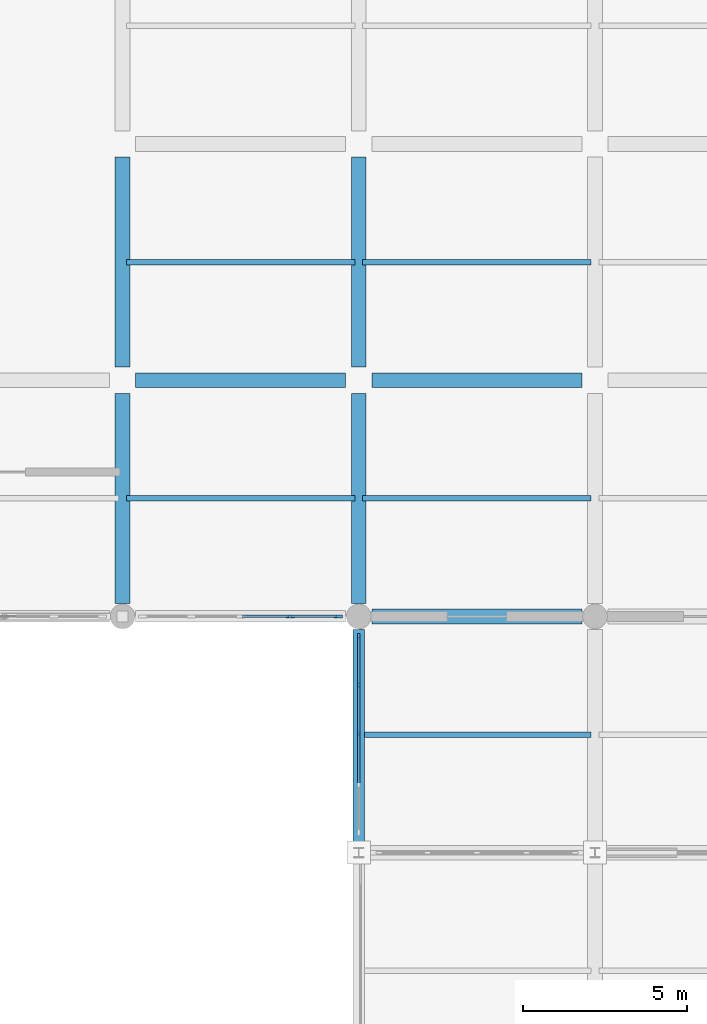
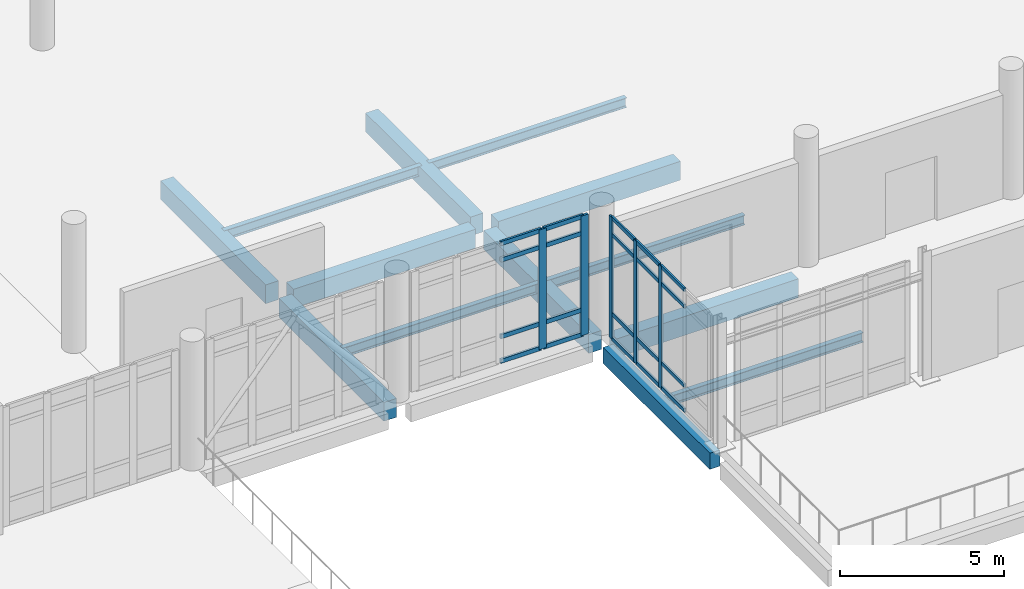
# One storey, part 13 of 59: 25 members, 13 beams, 2 elements without a shape of their own.
"""IFC4 building model written with IfcOpenShell, lengths in metres."""

from ifc_helpers import new_model, si_unit, direction, frame, origin, origin_2d, place, context, subcontext, project, spatial, rectangle, i_section, extrude, material, layer, layer_set, material_profile, profile_set, type_object, element, aggregate, save


model = new_model("IFC4")

# Units and contexts
model_context = context("Model", 3, precision=1e-05, world=origin(), true_north=direction((0.0, 1.0)))
body_context = subcontext(model_context, "Body", "Model", "MODEL_VIEW")
ifc_project = project(units=[si_unit("LENGTHUNIT", "METRE"), si_unit("AREAUNIT", "SQUARE_METRE"), si_unit("VOLUMEUNIT", "CUBIC_METRE"), si_unit("PLANEANGLEUNIT", "RADIAN"), si_unit("MASSUNIT", "GRAM", prefix="KILO")], contexts=[model_context])

# Site, building, storey
site_placement = place(None, origin())
site = spatial("IfcSite", under=ifc_project, at=site_placement, CompositionType="ELEMENT")
building_placement = place(site_placement, origin())
building = spatial("IfcBuilding", under=site, at=building_placement, Name="Valkovuoma Quantum and Materials Research Institute", CompositionType="ELEMENT")
storey_placement = place(building_placement, origin())
storey = spatial("IfcBuildingStorey", under=building, at=storey_placement, Name="L00", CompositionType="ELEMENT", Elevation=0.0)

# Beams
ifc_material_1 = material(Name="Steel S355J2", Category="steel")
ifc_material_profile_1 = material_profile(ifc_material_1, i_section(OverallWidth=0.169921875, OverallDepth=0.360107421875, WebThickness=0.008056640625, FlangeThickness=0.0126953125, FilletRadius=0.01806640625, at=origin_2d()), Name="Steel S355J2")
ifc_profile_set_1 = profile_set([ifc_material_profile_1], Name="Steel S355J2")
beam_type_1 = type_object("IfcBeamType", Name="Beam-B-JST360", PredefinedType="JOIST", material=ifc_profile_set_1)
for number, where, z_axis, x_axis, name in (
    (1, (57.719970703125, 32.39990234375, -0.580078125), (1.0, 0.0, 0.0), (0.0, 1.0, 0.0), "L00 floor joist 0406"),
    (2, (50.52001953125, 39.60009765625, -0.580078125), (1.0, 0.0, 0.0), (0.0, 1.0, 0.0), "L00 floor joist 0423"),
    (3, (57.719970703125, 39.60009765625, -0.580078125), (1.0, 0.0, 0.0), (0.0, 1.0, 0.0), "L00 floor joist 0424"),
    (4, (50.52001953125, 46.800048828125, -0.580078125), (1.0, 0.0, 0.0), (0.0, 1.0, 0.0), "L00 floor joist 0440"),
    (5, (57.719970703125, 46.800048828125, -0.580078125), (1.0, 0.0, 0.0), (0.0, 1.0, 0.0), "L00 floor joist 0441"),
):
    element("IfcBeam", number, at=place(storey_placement, frame(where, z_axis=z_axis, x_axis=x_axis)), inside=storey, type_object=beam_type_1, Name=name, PredefinedType="JOIST", context=body_context, shape_type="SweptSolid", body=[
        extrude(i_section(OverallWidth=0.169921875, OverallDepth=0.360107421875, WebThickness=0.008056640625, FlangeThickness=0.0126953125, FilletRadius=0.01806640625, at=origin_2d()), origin(), (0.0, 0.0, 1.0), 6.9599609375),
    ])
ifc_material_2 = material(Name="Concrete C40/50", Category="concrete")
ifc_material_profile_2 = material_profile(ifc_material_2, rectangle(XDim=0.449951171875, YDim=0.699951171875, at=origin_2d()), Name="Concrete C40/50")
ifc_profile_set_2 = profile_set([ifc_material_profile_2], Name="Concrete C40/50")
beam_type_2 = type_object("IfcBeamType", Name="Beam-B-RC700", PredefinedType="BEAM", material=ifc_profile_set_2)
for number, where, z_axis, x_axis, name in (
    (6, (58.0, 36.0, -0.75), (1.0, 0.0, 0.0), (0.0, 1.0, 0.0), "L00 beam X-0039"),
    (7, (50.800048828125, 43.199951171875, -0.75), (1.0, 0.0, 0.0), (0.0, 1.0, 0.0), "L00 beam X-0061"),
    (8, (58.0, 43.199951171875, -0.75), (1.0, 0.0, 0.0), (0.0, 1.0, 0.0), "L00 beam X-0062"),
):
    element("IfcBeam", number, at=place(storey_placement, frame(where, z_axis=z_axis, x_axis=x_axis)), inside=storey, type_object=beam_type_2, Name=name, PredefinedType="BEAM", context=body_context, shape_type="SweptSolid", body=[
        extrude(rectangle(XDim=0.449951171875, YDim=0.699951171875, at=origin_2d()), origin(), (0.0, 0.0, 1.0), 6.39990234375),
    ])
beam_1_placement = place(storey_placement, frame((50.39990234375, 36.39990234375, -0.75), z_axis=(0.0, 1.0, 0.0), x_axis=(-1.0, 0.0, 0.0)))
element("IfcBeam", 9, at=beam_1_placement, inside=storey, type_object=beam_type_2, Name="L00 beam Y-0252", PredefinedType="BEAM", context=body_context, shape_type="SweptSolid", body=[
    extrude(rectangle(XDim=0.449951171875, YDim=0.699951171875, at=origin_2d()), origin(), (0.0, 0.0, 1.0), 6.400146484375),
])
beam_2_placement = place(storey_placement, frame((50.39990234375, 43.60009765625, -0.75), z_axis=(0.0, 1.0, 0.0), x_axis=(-1.0, 0.0, 0.0)))
element("IfcBeam", 10, at=beam_2_placement, inside=storey, type_object=beam_type_2, Name="L00 beam Y-0253", PredefinedType="BEAM", context=body_context, shape_type="SweptSolid", body=[
    extrude(rectangle(XDim=0.449951171875, YDim=0.699951171875, at=origin_2d()), origin(), (0.0, 0.0, 1.0), 6.39990234375),
])
beam_3_placement = place(storey_placement, frame((57.60009765625, 36.39990234375, -0.75), z_axis=(0.0, 1.0, 0.0), x_axis=(-1.0, 0.0, 0.0)))
element("IfcBeam", 11, at=beam_3_placement, inside=storey, type_object=beam_type_2, Name="L00 beam Y-0264", PredefinedType="BEAM", context=body_context, shape_type="SweptSolid", body=[
    extrude(rectangle(XDim=0.449951171875, YDim=0.699951171875, at=origin_2d()), origin(), (0.0, 0.0, 1.0), 6.400146484375),
])
beam_4_placement = place(storey_placement, frame((57.60009765625, 43.60009765625, -0.75), z_axis=(0.0, 1.0, 0.0), x_axis=(-1.0, 0.0, 0.0)))
element("IfcBeam", 12, at=beam_4_placement, inside=storey, type_object=beam_type_2, Name="L00 beam Y-0265", PredefinedType="BEAM", context=body_context, shape_type="SweptSolid", body=[
    extrude(rectangle(XDim=0.449951171875, YDim=0.699951171875, at=origin_2d()), origin(), (0.0, 0.0, 1.0), 6.39990234375),
])
ifc_material_3 = material(Name="Concrete C40/50", Category="concrete")
ifc_material_profile_3 = material_profile(ifc_material_3, rectangle(XDim=0.35009765625, YDim=0.60009765625, at=origin_2d()), Name="Concrete C40/50")
ifc_profile_set_3 = profile_set([ifc_material_profile_3], Name="Concrete C40/50")
beam_type_3 = type_object("IfcBeamType", Name="Beam-B-SPN600", PredefinedType="SPANDREL", material=ifc_profile_set_3)
beam_5_placement = place(storey_placement, frame((57.60009765625, 29.10009765625, -0.699951171875), z_axis=(0.0, 1.0, 0.0), x_axis=(-1.0, 0.0, 0.0)))
element("IfcBeam", 13, at=beam_5_placement, inside=storey, type_object=beam_type_3, Name="L00 beam Y-0263", PredefinedType="SPANDREL", context=body_context, shape_type="SweptSolid", body=[
    extrude(rectangle(XDim=0.35009765625, YDim=0.60009765625, at=origin_2d()), origin(), (0.0, 0.0, 1.0), 6.5),
])

# Curtain wall, members
ifc_material_4 = material(Name="Thermally broken aluminium and triple low-E glazing", Category="aluminium")
ifc_layer_1 = layer(ifc_material_4, 0.219970703125)
ifc_layer_set_1 = layer_set([ifc_layer_1], Name="Thermally broken aluminium and triple low-E glazing")
curtain_wall_type_1 = type_object("IfcCurtainWallType", Name="CW-CW-04", PredefinedType="NOTDEFINED", material=ifc_layer_set_1)
curtain_wall_1_placement = place(storey_placement, origin())
curtain_wall_1 = element("IfcCurtainWall", 14, at=curtain_wall_1_placement, inside=storey, type_object=curtain_wall_type_1, Name="L00 curtain wall 145", PredefinedType="NOTDEFINED")
ifc_material_5 = material(Name="Anodised aluminium 6060-T66", Category="aluminium")
ifc_material_profile_4 = material_profile(ifc_material_5, rectangle(XDim=0.06494140625, YDim=0.179931640625, at=origin_2d()), Name="Anodised aluminium 6060-T66")
ifc_profile_set_4 = profile_set([ifc_material_profile_4], Name="Anodised aluminium 6060-T66")
member_type_1 = type_object("IfcMemberType", Name="CWMull-CWM-01", PredefinedType="MULLION", material=ifc_profile_set_4)
member_1_placement = place(storey_placement, frame((57.60009765625, 32.39990234375, 0.0), z_axis=(0.0, 0.0, 1.0), x_axis=(-1.0, 0.0, 0.0)))
member_1 = element("IfcMember", 15, at=member_1_placement, type_object=member_type_1, Name="CW-04 mullion 3", PredefinedType="MULLION", context=body_context, shape_type="SweptSolid", body=[
    extrude(rectangle(XDim=0.06494140625, YDim=0.179931640625, at=origin_2d()), origin(), (0.0, 0.0, 1.0), 4.550048828125),
])
member_2_placement = place(storey_placement, frame((57.60009765625, 33.909912109375, 0.0), z_axis=(0.0, 0.0, 1.0), x_axis=(-1.0, 0.0, 0.0)))
member_2 = element("IfcMember", 16, at=member_2_placement, type_object=member_type_1, Name="CW-04 mullion 4", PredefinedType="MULLION", context=body_context, shape_type="SweptSolid", body=[
    extrude(rectangle(XDim=0.06494140625, YDim=0.179931640625, at=origin_2d()), origin(), (0.0, 0.0, 1.0), 4.550048828125),
])
member_3_placement = place(storey_placement, frame((57.60009765625, 35.387451171875, 0.0), z_axis=(0.0, 0.0, 1.0), x_axis=(-1.0, 0.0, 0.0)))
member_3 = element("IfcMember", 17, at=member_3_placement, type_object=member_type_1, Name="CW-04 mullion 5", PredefinedType="MULLION", context=body_context, shape_type="SweptSolid", body=[
    extrude(rectangle(XDim=0.06494140625, YDim=0.179931640625, at=origin_2d()), origin(), (0.0, 0.0, 1.0), 4.550048828125),
])

ifc_material_6 = material(Name="Thermally broken aluminium and triple low-E glazing", Category="aluminium")
ifc_layer_2 = layer(ifc_material_6, 0.219970703125)
ifc_layer_set_2 = layer_set([ifc_layer_2], Name="Thermally broken aluminium and triple low-E glazing")
curtain_wall_type_2 = type_object("IfcCurtainWallType", Name="CW-CW-02", PredefinedType="NOTDEFINED", material=ifc_layer_set_2)
curtain_wall_2_placement = place(storey_placement, origin())
curtain_wall_2 = element("IfcCurtainWall", 18, at=curtain_wall_2_placement, inside=storey, type_object=curtain_wall_type_2, Name="L00 curtain wall 151", PredefinedType="NOTDEFINED")
ifc_material_7 = material(Name="Anodised aluminium 6060-T66", Category="aluminium")
ifc_material_profile_5 = material_profile(ifc_material_7, rectangle(XDim=0.080078125, YDim=0.260009765625, at=origin_2d()), Name="Anodised aluminium 6060-T66")
ifc_profile_set_5 = profile_set([ifc_material_profile_5], Name="Anodised aluminium 6060-T66")
member_type_2 = type_object("IfcMemberType", Name="CWMull-CWM-03", PredefinedType="MULLION", material=ifc_profile_set_5)
member_4_placement = place(storey_placement, frame((55.510009765625, 36.0, 0.0), z_axis=(0.0, 0.0, 1.0), x_axis=(0.0, 1.0, 0.0)))
member_4 = element("IfcMember", 19, at=member_4_placement, type_object=member_type_2, Name="CW-02 mullion 4", PredefinedType="MULLION", context=body_context, shape_type="SweptSolid", body=[
    extrude(rectangle(XDim=0.080078125, YDim=0.260009765625, at=origin_2d()), origin(), (0.0, 0.0, 1.0), 4.449951171875),
])
member_5_placement = place(storey_placement, frame((56.97998046875, 36.0, 0.0), z_axis=(0.0, 0.0, 1.0), x_axis=(0.0, 1.0, 0.0)))
member_5 = element("IfcMember", 20, at=member_5_placement, type_object=member_type_2, Name="CW-02 mullion 5", PredefinedType="MULLION", context=body_context, shape_type="SweptSolid", body=[
    extrude(rectangle(XDim=0.080078125, YDim=0.260009765625, at=origin_2d()), origin(), (0.0, 0.0, 1.0), 4.449951171875),
])

# Member
ifc_material_8 = material(Name="Anodised aluminium 6060-T66", Category="aluminium")
ifc_material_profile_6 = material_profile(ifc_material_8, rectangle(XDim=0.06494140625, YDim=0.139892578125, at=origin_2d()), Name="Anodised aluminium 6060-T66")
ifc_profile_set_6 = profile_set([ifc_material_profile_6], Name="Anodised aluminium 6060-T66")
member_type_3 = type_object("IfcMemberType", Name="CWTran-CWT-01", PredefinedType="USERDEFINED", material=ifc_profile_set_6)
member_6_placement = place(storey_placement, frame((57.60009765625, 30.922607421875, 0.032470703125), z_axis=(0.0, 1.0, 0.0), x_axis=(-1.0, 0.0, 0.0)))
member_6 = element("IfcMember", 21, at=member_6_placement, type_object=member_type_3, Name="CW-04 transom 2.1", ObjectType="TRANSOM", PredefinedType="USERDEFINED", context=body_context, shape_type="SweptSolid", body=[
    extrude(rectangle(XDim=0.06494140625, YDim=0.139892578125, at=origin_2d()), origin(), (0.0, 0.0, 1.0), 1.44482421875),
])

member_7_placement = place(storey_placement, frame((57.60009765625, 30.922607421875, 0.949951171875), z_axis=(0.0, 1.0, 0.0), x_axis=(-1.0, 0.0, 0.0)))
member_7 = element("IfcMember", 22, at=member_7_placement, type_object=member_type_3, Name="CW-04 transom 2.2", ObjectType="TRANSOM", PredefinedType="USERDEFINED", context=body_context, shape_type="SweptSolid", body=[
    extrude(rectangle(XDim=0.06494140625, YDim=0.139892578125, at=origin_2d()), origin(), (0.0, 0.0, 1.0), 1.44482421875),
])

member_8_placement = place(storey_placement, frame((57.60009765625, 30.922607421875, 3.89990234375), z_axis=(0.0, 1.0, 0.0), x_axis=(-1.0, 0.0, 0.0)))
member_8 = element("IfcMember", 23, at=member_8_placement, type_object=member_type_3, Name="CW-04 transom 2.3", ObjectType="TRANSOM", PredefinedType="USERDEFINED", context=body_context, shape_type="SweptSolid", body=[
    extrude(rectangle(XDim=0.06494140625, YDim=0.139892578125, at=origin_2d()), origin(), (0.0, 0.0, 1.0), 1.44482421875),
])

member_9_placement = place(storey_placement, frame((57.60009765625, 30.922607421875, 4.517578125), z_axis=(0.0, 1.0, 0.0), x_axis=(-1.0, 0.0, 0.0)))
member_9 = element("IfcMember", 24, at=member_9_placement, type_object=member_type_3, Name="CW-04 transom 2.4", ObjectType="TRANSOM", PredefinedType="USERDEFINED", context=body_context, shape_type="SweptSolid", body=[
    extrude(rectangle(XDim=0.06494140625, YDim=0.139892578125, at=origin_2d()), origin(), (0.0, 0.0, 1.0), 1.44482421875),
])

member_10_placement = place(storey_placement, frame((57.60009765625, 32.4326171875, 0.032470703125), z_axis=(0.0, 1.0, 0.0), x_axis=(-1.0, 0.0, 0.0)))
member_10 = element("IfcMember", 25, at=member_10_placement, type_object=member_type_3, Name="CW-04 transom 3.1", ObjectType="TRANSOM", PredefinedType="USERDEFINED", context=body_context, shape_type="SweptSolid", body=[
    extrude(rectangle(XDim=0.06494140625, YDim=0.139892578125, at=origin_2d()), origin(), (0.0, 0.0, 1.0), 1.44482421875),
])

member_11_placement = place(storey_placement, frame((57.60009765625, 32.4326171875, 0.949951171875), z_axis=(0.0, 1.0, 0.0), x_axis=(-1.0, 0.0, 0.0)))
member_11 = element("IfcMember", 26, at=member_11_placement, type_object=member_type_3, Name="CW-04 transom 3.2", ObjectType="TRANSOM", PredefinedType="USERDEFINED", context=body_context, shape_type="SweptSolid", body=[
    extrude(rectangle(XDim=0.06494140625, YDim=0.139892578125, at=origin_2d()), origin(), (0.0, 0.0, 1.0), 1.44482421875),
])

member_12_placement = place(storey_placement, frame((57.60009765625, 32.4326171875, 3.89990234375), z_axis=(0.0, 1.0, 0.0), x_axis=(-1.0, 0.0, 0.0)))
member_12 = element("IfcMember", 27, at=member_12_placement, type_object=member_type_3, Name="CW-04 transom 3.3", ObjectType="TRANSOM", PredefinedType="USERDEFINED", context=body_context, shape_type="SweptSolid", body=[
    extrude(rectangle(XDim=0.06494140625, YDim=0.139892578125, at=origin_2d()), origin(), (0.0, 0.0, 1.0), 1.44482421875),
])

member_13_placement = place(storey_placement, frame((57.60009765625, 32.4326171875, 4.517578125), z_axis=(0.0, 1.0, 0.0), x_axis=(-1.0, 0.0, 0.0)))
member_13 = element("IfcMember", 28, at=member_13_placement, type_object=member_type_3, Name="CW-04 transom 3.4", ObjectType="TRANSOM", PredefinedType="USERDEFINED", context=body_context, shape_type="SweptSolid", body=[
    extrude(rectangle(XDim=0.06494140625, YDim=0.139892578125, at=origin_2d()), origin(), (0.0, 0.0, 1.0), 1.44482421875),
])

member_14_placement = place(storey_placement, frame((57.60009765625, 33.9423828125, 0.032470703125), z_axis=(0.0, 1.0, 0.0), x_axis=(-1.0, 0.0, 0.0)))
member_14 = element("IfcMember", 29, at=member_14_placement, type_object=member_type_3, Name="CW-04 transom 4.1", ObjectType="TRANSOM", PredefinedType="USERDEFINED", context=body_context, shape_type="SweptSolid", body=[
    extrude(rectangle(XDim=0.06494140625, YDim=0.139892578125, at=origin_2d()), origin(), (0.0, 0.0, 1.0), 1.41259765625),
])

member_15_placement = place(storey_placement, frame((57.60009765625, 33.9423828125, 0.949951171875), z_axis=(0.0, 1.0, 0.0), x_axis=(-1.0, 0.0, 0.0)))
member_15 = element("IfcMember", 30, at=member_15_placement, type_object=member_type_3, Name="CW-04 transom 4.2", ObjectType="TRANSOM", PredefinedType="USERDEFINED", context=body_context, shape_type="SweptSolid", body=[
    extrude(rectangle(XDim=0.06494140625, YDim=0.139892578125, at=origin_2d()), origin(), (0.0, 0.0, 1.0), 1.41259765625),
])

member_16_placement = place(storey_placement, frame((57.60009765625, 33.9423828125, 3.89990234375), z_axis=(0.0, 1.0, 0.0), x_axis=(-1.0, 0.0, 0.0)))
member_16 = element("IfcMember", 31, at=member_16_placement, type_object=member_type_3, Name="CW-04 transom 4.3", ObjectType="TRANSOM", PredefinedType="USERDEFINED", context=body_context, shape_type="SweptSolid", body=[
    extrude(rectangle(XDim=0.06494140625, YDim=0.139892578125, at=origin_2d()), origin(), (0.0, 0.0, 1.0), 1.41259765625),
])

member_17_placement = place(storey_placement, frame((57.60009765625, 33.9423828125, 4.517578125), z_axis=(0.0, 1.0, 0.0), x_axis=(-1.0, 0.0, 0.0)))
member_17 = element("IfcMember", 32, at=member_17_placement, type_object=member_type_3, Name="CW-04 transom 4.4", ObjectType="TRANSOM", PredefinedType="USERDEFINED", context=body_context, shape_type="SweptSolid", body=[
    extrude(rectangle(XDim=0.06494140625, YDim=0.139892578125, at=origin_2d()), origin(), (0.0, 0.0, 1.0), 1.41259765625),
])

aggregate(curtain_wall_1, [member_1, member_2, member_3, member_6, member_7, member_8, member_9, member_10, member_11, member_12, member_13, member_14, member_15, member_16, member_17])

ifc_material_9 = material(Name="Anodised aluminium 6060-T66", Category="aluminium")
ifc_material_profile_7 = material_profile(ifc_material_9, rectangle(XDim=0.074951171875, YDim=0.159912109375, at=origin_2d()), Name="Anodised aluminium 6060-T66")
ifc_profile_set_7 = profile_set([ifc_material_profile_7], Name="Anodised aluminium 6060-T66")
member_type_4 = type_object("IfcMemberType", Name="CWTran-CWT-02", PredefinedType="USERDEFINED", material=ifc_profile_set_7)
member_18_placement = place(storey_placement, frame((54.0400390625, 36.0, 0.03759765625), z_axis=(1.0, 0.0, 0.0), x_axis=(0.0, 1.0, 0.0)))
member_18 = element("IfcMember", 33, at=member_18_placement, type_object=member_type_4, Name="CW-02 transom 3.1", ObjectType="TRANSOM", PredefinedType="USERDEFINED", context=body_context, shape_type="SweptSolid", body=[
    extrude(rectangle(XDim=0.074951171875, YDim=0.159912109375, at=origin_2d()), origin(), (0.0, 0.0, 1.0), 1.429931640625),
])

member_19_placement = place(storey_placement, frame((54.0400390625, 36.0, 0.949951171875), z_axis=(1.0, 0.0, 0.0), x_axis=(0.0, 1.0, 0.0)))
member_19 = element("IfcMember", 34, at=member_19_placement, type_object=member_type_4, Name="CW-02 transom 3.2", ObjectType="TRANSOM", PredefinedType="USERDEFINED", context=body_context, shape_type="SweptSolid", body=[
    extrude(rectangle(XDim=0.074951171875, YDim=0.159912109375, at=origin_2d()), origin(), (0.0, 0.0, 1.0), 1.429931640625),
])

member_20_placement = place(storey_placement, frame((54.0400390625, 36.0, 3.800048828125), z_axis=(1.0, 0.0, 0.0), x_axis=(0.0, 1.0, 0.0)))
member_20 = element("IfcMember", 35, at=member_20_placement, type_object=member_type_4, Name="CW-02 transom 3.3", ObjectType="TRANSOM", PredefinedType="USERDEFINED", context=body_context, shape_type="SweptSolid", body=[
    extrude(rectangle(XDim=0.074951171875, YDim=0.159912109375, at=origin_2d()), origin(), (0.0, 0.0, 1.0), 1.429931640625),
])

member_21_placement = place(storey_placement, frame((54.0400390625, 36.0, 4.41259765625), z_axis=(1.0, 0.0, 0.0), x_axis=(0.0, 1.0, 0.0)))
member_21 = element("IfcMember", 36, at=member_21_placement, type_object=member_type_4, Name="CW-02 transom 3.4", ObjectType="TRANSOM", PredefinedType="USERDEFINED", context=body_context, shape_type="SweptSolid", body=[
    extrude(rectangle(XDim=0.074951171875, YDim=0.159912109375, at=origin_2d()), origin(), (0.0, 0.0, 1.0), 1.429931640625),
])

member_22_placement = place(storey_placement, frame((55.550048828125, 36.0, 0.03759765625), z_axis=(1.0, 0.0, 0.0), x_axis=(0.0, 1.0, 0.0)))
member_22 = element("IfcMember", 37, at=member_22_placement, type_object=member_type_4, Name="CW-02 transom 4.1", ObjectType="TRANSOM", PredefinedType="USERDEFINED", context=body_context, shape_type="SweptSolid", body=[
    extrude(rectangle(XDim=0.074951171875, YDim=0.159912109375, at=origin_2d()), origin(), (0.0, 0.0, 1.0), 1.389892578125),
])

member_23_placement = place(storey_placement, frame((55.550048828125, 36.0, 0.949951171875), z_axis=(1.0, 0.0, 0.0), x_axis=(0.0, 1.0, 0.0)))
member_23 = element("IfcMember", 38, at=member_23_placement, type_object=member_type_4, Name="CW-02 transom 4.2", ObjectType="TRANSOM", PredefinedType="USERDEFINED", context=body_context, shape_type="SweptSolid", body=[
    extrude(rectangle(XDim=0.074951171875, YDim=0.159912109375, at=origin_2d()), origin(), (0.0, 0.0, 1.0), 1.389892578125),
])

member_24_placement = place(storey_placement, frame((55.550048828125, 36.0, 3.800048828125), z_axis=(1.0, 0.0, 0.0), x_axis=(0.0, 1.0, 0.0)))
member_24 = element("IfcMember", 39, at=member_24_placement, type_object=member_type_4, Name="CW-02 transom 4.3", ObjectType="TRANSOM", PredefinedType="USERDEFINED", context=body_context, shape_type="SweptSolid", body=[
    extrude(rectangle(XDim=0.074951171875, YDim=0.159912109375, at=origin_2d()), origin(), (0.0, 0.0, 1.0), 1.389892578125),
])

member_25_placement = place(storey_placement, frame((55.550048828125, 36.0, 4.41259765625), z_axis=(1.0, 0.0, 0.0), x_axis=(0.0, 1.0, 0.0)))
member_25 = element("IfcMember", 40, at=member_25_placement, type_object=member_type_4, Name="CW-02 transom 4.4", ObjectType="TRANSOM", PredefinedType="USERDEFINED", context=body_context, shape_type="SweptSolid", body=[
    extrude(rectangle(XDim=0.074951171875, YDim=0.159912109375, at=origin_2d()), origin(), (0.0, 0.0, 1.0), 1.389892578125),
])

aggregate(curtain_wall_2, [member_4, member_5, member_18, member_19, member_20, member_21, member_22, member_23, member_24, member_25])

save(model, "model.ifc")
